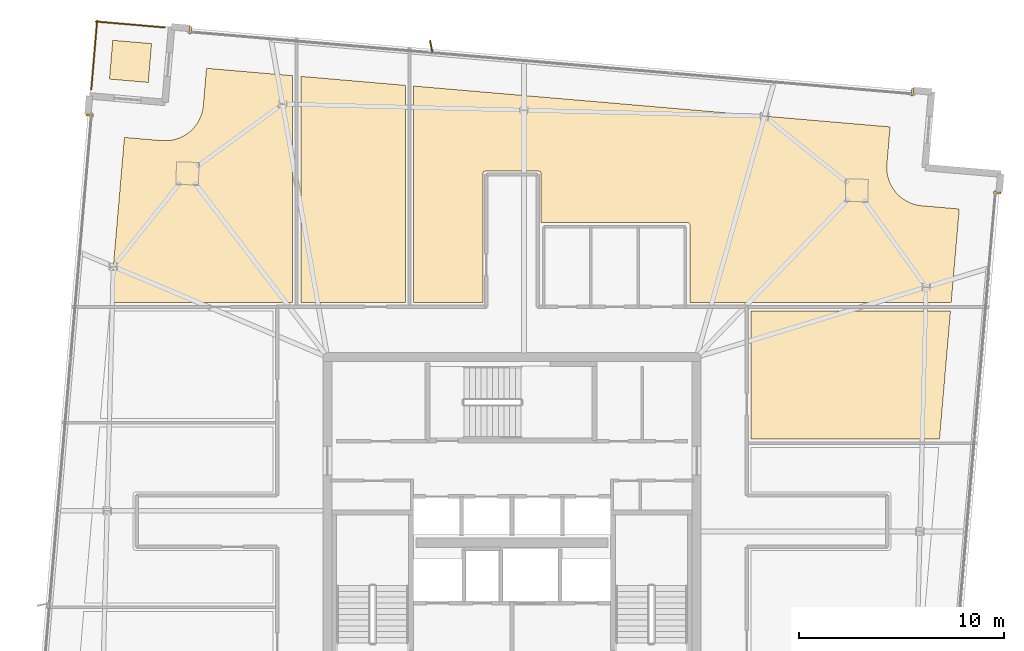
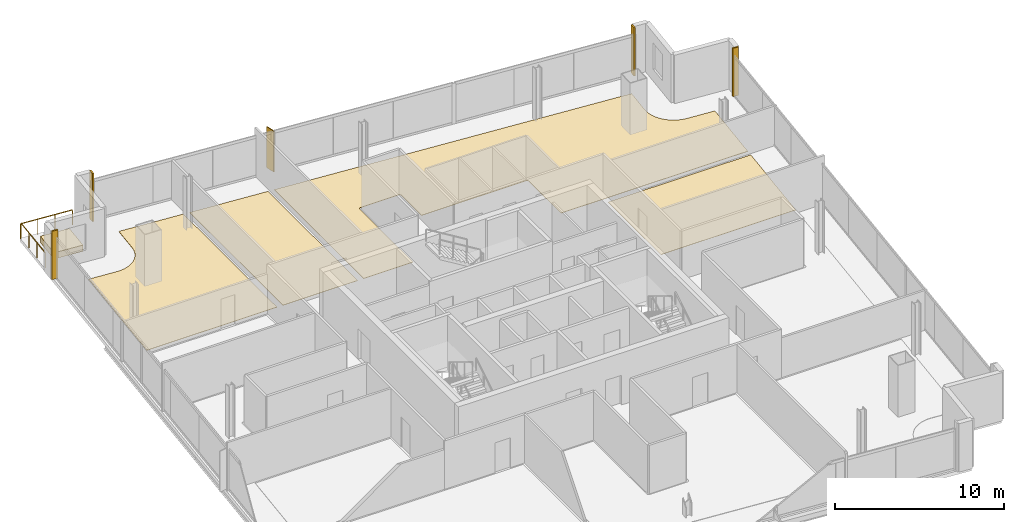
# One storey, part 24 of 24: 9 coverings, 2 railings, 1 shading device.
"""IFC4 building model written with IfcOpenShell, lengths in metres."""

from ifc_helpers import new_model, si_unit, direction, frame, origin, origin_2d, place, context, subcontext, project, spatial, polyline, rectangle, outline, extrude, source, transform, mapped, material, layer, layer_set, type_object, element, save


model = new_model("IFC4")

# Units and contexts
model_context = context("Model", 3, precision=1e-05, world=origin(), true_north=direction((0.0, 1.0)))
body_context = subcontext(model_context, "Body", "Model", "MODEL_VIEW")
ifc_project = project(units=[si_unit("LENGTHUNIT", "METRE"), si_unit("AREAUNIT", "SQUARE_METRE"), si_unit("VOLUMEUNIT", "CUBIC_METRE"), si_unit("PLANEANGLEUNIT", "RADIAN"), si_unit("MASSUNIT", "GRAM", prefix="KILO")], contexts=[model_context])

# Site, building, storey
site_placement = place(None, origin())
site = spatial("IfcSite", under=ifc_project, at=site_placement, CompositionType="ELEMENT")
building_placement = place(site_placement, origin())
building = spatial("IfcBuilding", under=site, at=building_placement, Name="Haldenkirk Collegiate Tower", CompositionType="ELEMENT")
storey_placement = place(building_placement, frame((0.0, 0.0, 313.949951171875)))
storey = spatial("IfcBuildingStorey", under=building, at=storey_placement, Name="L79", CompositionType="ELEMENT", Elevation=313.949951171875)

# Coverings
ifc_material_1 = material(Name="Polished collegiate terrazzo", Category="concrete")
ifc_layer_1 = layer(ifc_material_1, 0.02490234375)
ifc_layer_set_1 = layer_set([ifc_layer_1], Name="Polished collegiate terrazzo")
covering_type_1 = type_object("IfcCoveringType", Name="COV-FLOOR-TERRAZZO", PredefinedType="FLOORING", material=ifc_layer_set_1)
covering_1_placement = place(storey_placement, origin())
element("IfcCovering", 1, at=covering_1_placement, inside=storey, type_object=covering_type_1, Name="L79 academic room finish 04", PredefinedType="FLOORING", context=body_context, shape_type="SweptSolid", body=[
    extrude(outline(polyline([(18.922607421875, 44.556396484375), (18.928466796875, 44.55615234375), (19.10009765625, 44.5498046875), (19.112060546875, 44.550048828125), (19.283447265625, 44.560546875), (19.295166015625, 44.56201171875), (19.464599609375, 44.58935546875), (19.47607421875, 44.591796875), (19.64208984375, 44.635498046875), (19.653564453125, 44.63916015625), (19.814453125, 44.698974609375), (19.8251953125, 44.70361328125), (19.9794921875, 44.779052734375), (19.98974609375, 44.784912109375), (20.135986328125, 44.875), (20.145751953125, 44.881591796875), (20.2822265625, 44.985595703125), (20.291259765625, 44.9931640625), (20.4169921875, 45.110107421875), (20.42529296875, 45.118408203125), (20.5390625, 45.247314453125), (20.54638671875, 45.25634765625), (20.64697265625, 45.395751953125), (20.6533203125, 45.405517578125), (20.73974609375, 45.553955078125), (20.7451171875, 45.564453125), (20.816650390625, 45.720703125), (20.821044921875, 45.7314453125), (20.876708984375, 45.89404296875), (20.880126953125, 45.9052734375), (20.919921875, 46.072509765625), (20.921875, 46.083984375), (20.94482421875, 46.254150390625), (20.945556640625, 46.260009765625), (21.101806640625, 48.083251953125), (25.300048828125, 47.723388671875), (25.300048828125, 36.64990234375), (16.408203125, 36.64990234375), (17.099365234375, 44.712890625), (18.922607421875, 44.556396484375)])), origin(), (0.0, 0.0, 1.0), 0.025146484375),
])
covering_2_placement = place(storey_placement, origin())
element("IfcCovering", 2, at=covering_2_placement, inside=storey, type_object=covering_type_1, Name="L79 academic room finish 06", PredefinedType="FLOORING", context=body_context, shape_type="SweptSolid", body=[
    extrude(outline(polyline([(37.419921875, 40.56591796875), (37.419921875, 42.949951171875), (37.41943359375, 42.9619140625), (37.417724609375, 42.973388671875), (37.414794921875, 42.98486328125), (37.410888671875, 42.995849609375), (37.40576171875, 43.006591796875), (37.39990234375, 43.0166015625), (37.392822265625, 43.026123046875), (37.385009765625, 43.034912109375), (37.376220703125, 43.042724609375), (37.36669921875, 43.0498046875), (37.356689453125, 43.055908203125), (37.345947265625, 43.060791015625), (37.334716796875, 43.064697265625), (37.323486328125, 43.067626953125), (37.311767578125, 43.0693359375), (37.300048828125, 43.070068359375), (34.699951171875, 43.070068359375), (34.688232421875, 43.0693359375), (34.676513671875, 43.067626953125), (34.665283203125, 43.064697265625), (34.654052734375, 43.060791015625), (34.643310546875, 43.055908203125), (34.63330078125, 43.0498046875), (34.623779296875, 43.042724609375), (34.614990234375, 43.034912109375), (34.607177734375, 43.026123046875), (34.60009765625, 43.0166015625), (34.59423828125, 43.006591796875), (34.589111328125, 42.995849609375), (34.585205078125, 42.98486328125), (34.582275390625, 42.973388671875), (34.58056640625, 42.9619140625), (34.580078125, 42.949951171875), (34.580078125, 36.64990234375), (31.199951171875, 36.64990234375), (31.199951171875, 47.217529296875), (54.439453125, 45.22509765625), (54.283203125, 43.40185546875), (54.282958984375, 43.39599609375), (54.276611328125, 43.224365234375), (54.276611328125, 43.212646484375), (54.287353515625, 43.041259765625), (54.28857421875, 43.029541015625), (54.31591796875, 42.860107421875), (54.318603515625, 42.848388671875), (54.3623046875, 42.682373046875), (54.36572265625, 42.671142578125), (54.42578125, 42.51025390625), (54.430419921875, 42.49951171875), (54.505859375, 42.34521484375), (54.511474609375, 42.334716796875), (54.6015625, 42.188720703125), (54.6083984375, 42.178955078125), (54.71240234375, 42.042236328125), (54.719970703125, 42.033203125), (54.8369140625, 41.907470703125), (54.84521484375, 41.8994140625), (54.973876953125, 41.78564453125), (54.983154296875, 41.7783203125), (55.122314453125, 41.677490234375), (55.132080078125, 41.671142578125), (55.280517578125, 41.584716796875), (55.291015625, 41.579345703125), (55.447265625, 41.508056640625), (55.458251953125, 41.503662109375), (55.62060546875, 41.44775390625), (55.6318359375, 41.444580078125), (55.799072265625, 41.40478515625), (55.810546875, 41.402587890625), (55.980712890625, 41.379638671875), (55.986572265625, 41.37890625), (57.81005859375, 41.22265625), (57.41796875, 36.64990234375), (44.669921875, 36.64990234375), (44.669921875, 40.449951171875), (44.66943359375, 40.4619140625), (44.667724609375, 40.473388671875), (44.664794921875, 40.48486328125), (44.660888671875, 40.495849609375), (44.65576171875, 40.506591796875), (44.64990234375, 40.5166015625), (44.642822265625, 40.526123046875), (44.635009765625, 40.534912109375), (44.626220703125, 40.542724609375), (44.61669921875, 40.5498046875), (44.606689453125, 40.555908203125), (44.595947265625, 40.560791015625), (44.584716796875, 40.564697265625), (44.573486328125, 40.567626953125), (44.561767578125, 40.5693359375), (44.550048828125, 40.570068359375), (37.449951171875, 40.570068359375), (37.438232421875, 40.5693359375), (37.426513671875, 40.567626953125), (37.419921875, 40.56591796875)])), origin(), (0.0, 0.0, 1.0), 0.025146484375),
])
ifc_material_2 = material(Name="Engineered collegiate oak acoustic flooring", Category="wood")
ifc_layer_2 = layer(ifc_material_2, 0.02197265625)
ifc_layer_set_2 = layer_set([ifc_layer_2], Name="Engineered collegiate oak acoustic flooring")
covering_type_2 = type_object("IfcCoveringType", Name="COV-FLOOR-TIMBER", PredefinedType="FLOORING", material=ifc_layer_set_2)
covering_3_placement = place(storey_placement, origin())
element("IfcCovering", 3, at=covering_3_placement, inside=storey, type_object=covering_type_2, Name="L79 academic room finish 05", PredefinedType="FLOORING", context=body_context, shape_type="SweptSolid", body=[
    extrude(outline(polyline([(30.800048828125, 47.251708984375), (30.800048828125, 36.64990234375), (25.699951171875, 36.64990234375), (25.699951171875, 47.689208984375), (30.800048828125, 47.251708984375)])), origin(), (0.0, 0.0, 1.0), 0.02197265625),
])
covering_4_placement = place(storey_placement, origin())
element("IfcCovering", 4, at=covering_4_placement, inside=storey, type_object=covering_type_2, Name="L79 academic room finish 11", PredefinedType="FLOORING", context=body_context, shape_type="SweptSolid", body=[
    extrude(outline(polyline([(56.847900390625, 30.0), (47.64990234375, 30.0), (47.64990234375, 36.25), (57.3837890625, 36.25), (56.847900390625, 30.0)])), origin(), (0.0, 0.0, 1.0), 0.02197265625),
])
ifc_material_3 = material(Name="Precast concrete f'c 40 MPa", Category="concrete")
ifc_layer_3 = layer(ifc_material_3, 0.449951171875)
ifc_layer_set_3 = layer_set([ifc_layer_3], Name="Precast concrete f'c 40 MPa")
covering_type_3 = type_object("IfcCoveringType", Name="COV-PLANTER-450", PredefinedType="USERDEFINED", material=ifc_layer_set_3)
covering_5_placement = place(storey_placement, origin())
element("IfcCovering", 5, at=covering_5_placement, inside=storey, type_object=covering_type_3, Name="L79 planted garden planter bed", ObjectType="PLANTER", PredefinedType="USERDEFINED", context=body_context, shape_type="SweptSolid", body=[
    extrude(outline(polyline([(18.2626953125, 47.393310546875), (16.369384765625, 47.555419921875), (16.53173828125, 49.448486328125), (18.4248046875, 49.286376953125), (18.2626953125, 47.393310546875)])), origin(), (0.0, 0.0, 1.0), 0.449951171875),
])

# Railings
ifc_material_4 = material(Name="Anodised architectural bronze aluminium", Category="aluminium")
railing_type = type_object("IfcRailingType", Name="RLG-TERR-BALUSTRADE-1100", PredefinedType="BALUSTRADE", material=ifc_material_4)
railing_1_placement = place(storey_placement, frame((19.074462890625, 50.07373046875, 0.0)))
element("IfcRailing", 6, at=railing_1_placement, inside=storey, type_object=railing_type, Name="L79 terrace guard balustrade 2-1", PredefinedType="BALUSTRADE", context=body_context, shape_type="SweptSolid", body=[
    extrude(rectangle(XDim=0.048095703125, YDim=0.048095703125, at=origin_2d()), frame((0.0, 0.0, 1.076171875), z_axis=(-0.996348755952, 0.085376557165, 0.0), x_axis=(-0.085376557165, -0.996348755952, 0.0)), (0.0, 0.0, 1.0), 3.380126953125),
    extrude(rectangle(XDim=0.0419921875, YDim=0.0419921875, at=origin_2d()), origin(), (0.0, 0.0, 1.0), 1.052001953125),
    extrude(rectangle(XDim=0.0419921875, YDim=0.0419921875, at=origin_2d()), frame((-1.12255859375, 0.09619140625, 0.0)), (0.0, 0.0, 1.0), 1.052001953125),
    extrude(rectangle(XDim=0.0419921875, YDim=0.0419921875, at=origin_2d()), frame((-2.2451171875, 0.1923828125, 0.0)), (0.0, 0.0, 1.0), 1.052001953125),
    extrude(rectangle(XDim=0.0419921875, YDim=0.0419921875, at=origin_2d()), frame((-3.36767578125, 0.28857421875, 0.0)), (0.0, 0.0, 1.0), 1.052001953125),
])
railing_2_placement = place(storey_placement, frame((15.771728515625, 50.4169921875, 0.0)))
element("IfcRailing", 7, at=railing_2_placement, inside=storey, type_object=railing_type, Name="L79 terrace guard balustrade 3-1", PredefinedType="BALUSTRADE", context=body_context, shape_type="SweptSolid", body=[
    extrude(rectangle(XDim=0.048095703125, YDim=0.048095703125, at=origin_2d()), frame((0.0, 0.0, 1.076171875), z_axis=(-0.085448260591, -0.996342609127, 0.0), x_axis=(0.996342609127, -0.085448260591, 0.0)), (0.0, 0.0, 1.0), 3.380126953125),
    extrude(rectangle(XDim=0.0419921875, YDim=0.0419921875, at=origin_2d()), origin(), (0.0, 0.0, 1.0), 1.052001953125),
    extrude(rectangle(XDim=0.0419921875, YDim=0.0419921875, at=origin_2d()), frame((-0.09619140625, -1.12255859375, 0.0)), (0.0, 0.0, 1.0), 1.052001953125),
    extrude(rectangle(XDim=0.0419921875, YDim=0.0419921875, at=origin_2d()), frame((-0.192626953125, -2.2451171875, 0.0)), (0.0, 0.0, 1.0), 1.052001953125),
    extrude(rectangle(XDim=0.0419921875, YDim=0.0419921875, at=origin_2d()), frame((-0.288818359375, -3.36767578125, 0.0)), (0.0, 0.0, 1.0), 1.052001953125),
])

# Coverings
ifc_layer_4 = layer(ifc_material_4, 0.06005859375)
ifc_layer_set_4 = layer_set([ifc_layer_4], Name="Anodised architectural bronze aluminium")
covering_type_4 = type_object("IfcCoveringType", Name="COV-CLAD-BRONZE-60", PredefinedType="CLADDING", material=ifc_layer_set_4)
shared_shape_1 = source(origin(), body_context, "Body", "SweptSolid", [
    extrude(rectangle(XDim=0.10009765625, YDim=0.3798828125, at=origin_2d()), origin(), (0.0, 0.0, 1.0), 3.489990234375),
])
for number, where, z_axis, x_axis, name in (
    (8, (59.663818359375, 42.007080078125, 0.0), (0.0, 0.0, 1.0), (-0.085416923137, -0.996345296191, 0.0), "L79 recessed curtain-wall bronze jamb closure SJL"),
    (9, (20.3173828125, 49.93701171875, 0.0), (0.0, 0.0, 1.0), (0.996345296191, -0.085416923137, 0.0), "L79 recessed curtain-wall bronze jamb closure EJL"),
    (10, (55.528076171875, 46.91845703125, 0.0), (0.0, 0.0, 1.0), (0.996345296191, -0.085416923137, 0.0), "L79 recessed curtain-wall bronze jamb closure EJR"),
    (11, (15.406005859375, 45.801513671875, 0.0), (0.0, 0.0, 1.0), (0.085416923137, 0.996345296191, 0.0), "L79 recessed curtain-wall bronze jamb closure NJR"),
):
    element("IfcCovering", number, at=place(storey_placement, frame(where, z_axis=z_axis, x_axis=x_axis)), inside=storey, type_object=covering_type_4, Name=name, PredefinedType="CLADDING", context=body_context, shape_type="MappedRepresentation", body=[
        mapped(shared_shape_1, transform((0.0, 0.0, 0.0), x_axis=(1.0, 0.0, 0.0), y_axis=(0.0, 1.0, 0.0), z_axis=(0.0, 0.0, 1.0), scale=1.0)),
    ])

# Shading device
ifc_layer_5 = layer(ifc_material_4, 0.06494140625)
ifc_layer_set_5 = layer_set([ifc_layer_5], Name="Anodised architectural bronze aluminium")
shading_device_type = type_object("IfcShadingDeviceType", Name="SHD-FIN-BRONZE-620", PredefinedType="USERDEFINED", material=ifc_layer_set_5)
shared_shape_2 = source(origin(), body_context, "Body", "SweptSolid", [
    extrude(rectangle(XDim=0.6201171875, YDim=0.06494140625, at=origin_2d()), origin(), (0.0, 0.0, 1.0), 2.947998046875),
])
shading_device_placement = place(storey_placement, frame((32.061767578125, 49.135986328125, 0.0), z_axis=(0.0, 0.0, 1.0), x_axis=(-0.192521966526, 0.981292663992, 0.0)))
element("IfcShadingDevice", 12, at=shading_device_placement, inside=storey, type_object=shading_device_type, Name="L79 folded bronze solar fin 1", ObjectType="FIN", PredefinedType="USERDEFINED", context=body_context, shape_type="MappedRepresentation", body=[
    mapped(shared_shape_2, transform((0.0, 0.0, 0.0), x_axis=(1.0, 0.0, 0.0), y_axis=(0.0, 1.0, 0.0), z_axis=(0.0, 0.0, 1.0), scale=1.0)),
])

save(model, "model.ifc")
